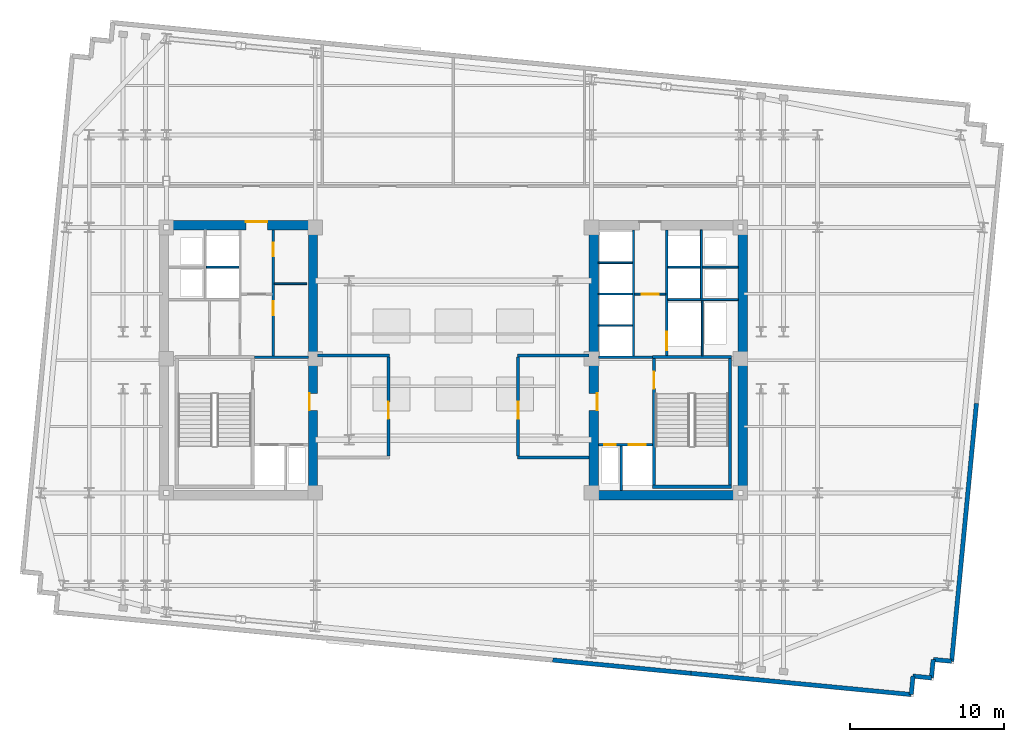
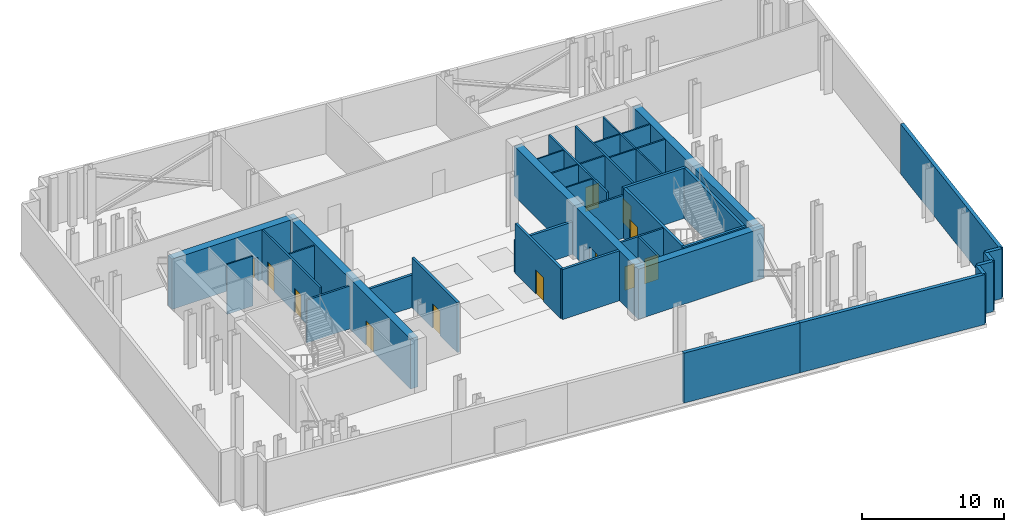
# One storey, part 5 of 8: 39 walls, 12 doors, 12 openings.
"""IFC4 building model written with IfcOpenShell, lengths in metres."""

from ifc_helpers import new_model, si_unit, direction, frame, frame_2d, origin, place, context, subcontext, project, spatial, rectangle, extrude, material, layer, layer_set, type_object, element, fill, save


model = new_model("IFC4")

# Units and contexts
model_context = context("Model", 3, precision=1e-05, world=origin(), true_north=direction((0.0, 1.0)))
body_context = subcontext(model_context, "Body", "Model", "MODEL_VIEW")
ifc_project = project(units=[si_unit("LENGTHUNIT", "METRE"), si_unit("AREAUNIT", "SQUARE_METRE"), si_unit("VOLUMEUNIT", "CUBIC_METRE"), si_unit("PLANEANGLEUNIT", "RADIAN"), si_unit("MASSUNIT", "GRAM", prefix="KILO")], contexts=[model_context])

# Site, building, storey
site_placement = place(None, origin())
site = spatial("IfcSite", under=ifc_project, at=site_placement, CompositionType="ELEMENT")
building_placement = place(site_placement, origin())
building = spatial("IfcBuilding", under=site, at=building_placement, Name="Velakula Bourse", CompositionType="ELEMENT")
storey_placement = place(building_placement, frame((0.0, 0.0, 194.89990234375)))
storey = spatial("IfcBuildingStorey", under=building, at=storey_placement, Name="L53", CompositionType="ELEMENT", Elevation=194.89990234375)

# Wall, opening, door
ifc_material_1 = material(Name="Concrete M50 (fck 50 MPa)", Category="concrete")
ifc_layer_1 = layer(ifc_material_1, 0.2099609375, Name="Concrete M50 (fck 50 MPa)", Category="concrete")
ifc_layer_set_1 = layer_set([ifc_layer_1], Name="Concrete M50 (fck 50 MPa)")
wall_type_1 = type_object("IfcWallType", Name="WL-CORE-210", PredefinedType="SHEAR", material=ifc_layer_set_1)
wall_1_placement = place(storey_placement, frame((12.9951171875, -8.10009765625, 0.0), z_axis=(0.0, 0.0, 1.0), x_axis=(0.0, 1.0, 0.0)))
wall_1 = element("IfcWall", 1, at=wall_1_placement, inside=storey, type_object=wall_type_1, Name="L53 Core E Stairwell Shear Wall IN", PredefinedType="SHEAR", context=body_context, shape_type="SweptSolid", body=[
    extrude(rectangle(XDim=8.2001953125, YDim=0.2099609375, at=frame_2d((4.10009765625, 0.0))), origin(), (0.0, 0.0, 1.0), 4.320068359375),
])
opening_1_placement = place(wall_1_placement, frame((6.25, 0.0, 0.0)))
opening_1 = element("IfcOpeningElement", 2, at=opening_1_placement, cuts=wall_1, Name="Opening D-STE1", PredefinedType="OPENING", context=body_context, shape_type="SweptSolid", body=[
    extrude(rectangle(XDim=1.10009765625, YDim=2.14990234375, at=frame_2d((0.550048828125, 1.074951171875))), frame((0.0, 0.114990234375, 0.0), z_axis=(0.0, -1.0, 0.0), x_axis=(1.0, 0.0, 0.0)), (0.0, 0.0, 1.0), 0.22998046875),
])
ifc_material_2 = material(Name="Galvanised painted hollow steel fire door", Category="steel")
door_type_1 = type_object("IfcDoorType", Name="DR-FD120-1100x2150", OperationType="NOTDEFINED", PredefinedType="DOOR", material=ifc_material_2)
door_1_placement = place(opening_1_placement, origin())
door_1 = element("IfcDoor", 3, at=door_1_placement, inside=storey, type_object=door_type_1, Name="L53 Stair ST-E1 Fire Door", OperationType="SINGLE_SWING_RIGHT", OverallHeight=2.14990234375, OverallWidth=1.10009765625, PredefinedType="DOOR", context=body_context, shape_type="SweptSolid", body=[
    extrude(rectangle(XDim=1.10009765625, YDim=2.14990234375, at=frame_2d((0.550048828125, 1.074951171875))), frame((0.0, 0.02490234375, 0.0), z_axis=(0.0, -1.0, 0.0), x_axis=(1.0, 0.0, 0.0)), (0.0, 0.0, 1.0), 0.050048828125),
])
fill(opening_1, door_1)

# Walls
wall_2_placement = place(storey_placement, frame((17.925048828125, -8.10009765625, 0.0), z_axis=(0.0, 0.0, 1.0), x_axis=(0.0, 1.0, 0.0)))
element("IfcWall", 4, at=wall_2_placement, inside=storey, type_object=wall_type_1, Name="L53 Core E Stairwell Shear Wall OUT", PredefinedType="SHEAR", context=body_context, shape_type="SweptSolid", body=[
    extrude(rectangle(XDim=8.2001953125, YDim=0.2099609375, at=frame_2d((4.10009765625, 0.0))), origin(), (0.0, 0.0, 1.0), 4.320068359375),
])
for number, where, z_axis, x_axis, name in (
    (5, (12.889892578125, -8.205078125, 0.0), (0.0, 0.0, 1.0), (1.0, 0.0, 0.0), "L53 Core E Stairwell Shear Wall S"),
    (6, (18.030029296875, 0.205078125, 0.0), (0.0, 0.0, 1.0), (-1.0, 0.0, 0.0), "L53 Core E Stairwell Shear Wall N"),
):
    element("IfcWall", number, at=place(storey_placement, frame(where, z_axis=z_axis, x_axis=x_axis)), inside=storey, type_object=wall_type_1, Name=name, PredefinedType="SHEAR", context=body_context, shape_type="SweptSolid", body=[
        extrude(rectangle(XDim=5.14013671875, YDim=0.2099609375, at=frame_2d((2.570068359375, 0.0))), origin(), (0.0, 0.0, 1.0), 4.320068359375),
    ])

# Wall, opening, door
ifc_material_3 = material(Name="Concrete M70 (fck 70 MPa)", Category="concrete")
ifc_layer_2 = layer(ifc_material_3, 0.60009765625, Name="Concrete M70 (fck 70 MPa)", Category="concrete")
ifc_layer_set_2 = layer_set([ifc_layer_2], Name="Concrete M70 (fck 70 MPa)")
wall_type_2 = type_object("IfcWallType", Name="WL-CORE-600", PredefinedType="SHEAR", material=ifc_layer_set_2)
wall_3_placement = place(storey_placement, frame((-19.050048828125, 8.75, 0.0), z_axis=(0.0, 0.0, 1.0), x_axis=(1.0, 0.0, 0.0)))
wall_3 = element("IfcWall", 7, at=wall_3_placement, inside=storey, type_object=wall_type_2, Name="L53 Core W Shear Wall N", PredefinedType="SHEAR", context=body_context, shape_type="SweptSolid", body=[
    extrude(rectangle(XDim=10.25, YDim=0.60009765625, at=frame_2d((5.125, 0.0))), origin(), (0.0, 0.0, 1.0), 4.320068359375),
])
opening_2_placement = place(wall_3_placement, frame((5.60009765625, 0.0, 0.0)))
opening_2 = element("IfcOpeningElement", 8, at=opening_2_placement, cuts=wall_3, Name="Opening D-LLW", PredefinedType="OPENING", context=body_context, shape_type="SweptSolid", body=[
    extrude(rectangle(XDim=1.39990234375, YDim=2.050048828125, at=frame_2d((0.699951171875, 1.02490234375))), frame((0.0, 0.31005859375, 0.0), z_axis=(0.0, -1.0, 0.0), x_axis=(1.0, 0.0, 0.0)), (0.0, 0.0, 1.0), 0.6201171875),
])
ifc_material_4 = material(Name="Fire-rated hardwood flush architectural door", Category="wood")
door_type_2 = type_object("IfcDoorType", Name="DR-DBL-FD60-1400", OperationType="DOUBLE_DOOR_SINGLE_SWING", PredefinedType="DOOR", material=ifc_material_4)
door_2_placement = place(opening_2_placement, origin())
door_2 = element("IfcDoor", 9, at=door_2_placement, inside=storey, type_object=door_type_2, Name="L53 Core W Lift Lobby Corridor Double Door", OperationType="DOUBLE_DOOR_SINGLE_SWING", OverallHeight=2.050048828125, OverallWidth=1.39990234375, PredefinedType="DOOR", context=body_context, shape_type="SweptSolid", body=[
    extrude(rectangle(XDim=1.39990234375, YDim=2.050048828125, at=frame_2d((0.699951171875, 1.02490234375))), frame((0.0, 0.2451171875, 0.0), z_axis=(0.0, -1.0, 0.0), x_axis=(1.0, 0.0, 0.0)), (0.0, 0.0, 1.0), 0.050048828125),
])
fill(opening_2, door_2)

wall_4_placement = place(storey_placement, frame((-9.10009765625, -8.449951171875, 0.0), z_axis=(0.0, 0.0, 1.0), x_axis=(0.0, 1.0, 0.0)))
wall_4 = element("IfcWall", 10, at=wall_4_placement, inside=storey, type_object=wall_type_2, Name="L53 Core W Shear Wall E", PredefinedType="SHEAR", context=body_context, shape_type="SweptSolid", body=[
    extrude(rectangle(XDim=16.89990234375, YDim=0.60009765625, at=frame_2d((8.449951171875, 0.0))), origin(), (0.0, 0.0, 1.0), 4.320068359375),
])
opening_3_placement = place(wall_4_placement, frame((5.199951171875, 0.0, 0.0)))
opening_3 = element("IfcOpeningElement", 11, at=opening_3_placement, cuts=wall_4, Name="Opening D-FLW", PredefinedType="OPENING", context=body_context, shape_type="SweptSolid", body=[
    extrude(rectangle(XDim=1.10009765625, YDim=2.080078125, at=frame_2d((0.550048828125, 1.0400390625))), frame((0.0, 0.31005859375, 0.0), z_axis=(0.0, -1.0, 0.0), x_axis=(1.0, 0.0, 0.0)), (0.0, 0.0, 1.0), 0.6201171875),
])
door_type_3 = type_object("IfcDoorType", Name="DR-FD120-1100", OperationType="NOTDEFINED", PredefinedType="DOOR", material=ifc_material_2)
door_3_placement = place(opening_3_placement, origin())
door_3 = element("IfcDoor", 12, at=door_3_placement, inside=storey, type_object=door_type_3, Name="L53 Firefighting Lobby W Corridor Fire Door", OperationType="SINGLE_SWING_LEFT", OverallHeight=2.080078125, OverallWidth=1.10009765625, PredefinedType="DOOR", context=body_context, shape_type="SweptSolid", body=[
    extrude(rectangle(XDim=1.10009765625, YDim=2.080078125, at=frame_2d((0.550048828125, 1.0400390625))), frame((0.0, 0.2548828125, 0.0), z_axis=(0.0, -1.0, 0.0), x_axis=(1.0, 0.0, 0.0)), (0.0, 0.0, 1.0), 0.050048828125),
])
fill(opening_3, door_3)

# Wall
wall_5_placement = place(storey_placement, frame((8.800048828125, -8.75, 0.0), z_axis=(0.0, 0.0, 1.0), x_axis=(1.0, 0.0, 0.0)))
element("IfcWall", 13, at=wall_5_placement, inside=storey, type_object=wall_type_2, Name="L53 Core E Shear Wall S", PredefinedType="SHEAR", context=body_context, shape_type="SweptSolid", body=[
    extrude(rectangle(XDim=10.25, YDim=0.60009765625, at=frame_2d((5.125, 0.0))), origin(), (0.0, 0.0, 1.0), 4.320068359375),
])

# Wall, opening, door
wall_6_placement = place(storey_placement, frame((9.10009765625, -8.449951171875, 0.0), z_axis=(0.0, 0.0, 1.0), x_axis=(0.0, 1.0, 0.0)))
wall_6 = element("IfcWall", 14, at=wall_6_placement, inside=storey, type_object=wall_type_2, Name="L53 Core E Shear Wall W", PredefinedType="SHEAR", context=body_context, shape_type="SweptSolid", body=[
    extrude(rectangle(XDim=16.89990234375, YDim=0.60009765625, at=frame_2d((8.449951171875, 0.0))), origin(), (0.0, 0.0, 1.0), 4.320068359375),
])
opening_4_placement = place(wall_6_placement, frame((5.199951171875, 0.0, 0.0)))
opening_4 = element("IfcOpeningElement", 15, at=opening_4_placement, cuts=wall_6, Name="Opening D-FLE", PredefinedType="OPENING", context=body_context, shape_type="SweptSolid", body=[
    extrude(rectangle(XDim=1.10009765625, YDim=2.080078125, at=frame_2d((0.550048828125, 1.0400390625))), frame((0.0, 0.31005859375, 0.0), z_axis=(0.0, -1.0, 0.0), x_axis=(1.0, 0.0, 0.0)), (0.0, 0.0, 1.0), 0.6201171875),
])
door_4_placement = place(opening_4_placement, origin())
door_4 = element("IfcDoor", 16, at=door_4_placement, inside=storey, type_object=door_type_3, Name="L53 Firefighting Lobby E Corridor Fire Door", OperationType="SINGLE_SWING_RIGHT", OverallHeight=2.080078125, OverallWidth=1.10009765625, PredefinedType="DOOR", context=body_context, shape_type="SweptSolid", body=[
    extrude(rectangle(XDim=1.10009765625, YDim=2.080078125, at=frame_2d((0.550048828125, 1.0400390625))), frame((0.0, -0.205078125, 0.0), z_axis=(0.0, -1.0, 0.0), x_axis=(1.0, 0.0, 0.0)), (0.0, 0.0, 1.0), 0.050048828125),
])
fill(opening_4, door_4)

# Walls
wall_7_placement = place(storey_placement, frame((18.75, -8.449951171875, 0.0), z_axis=(0.0, 0.0, 1.0), x_axis=(0.0, 1.0, 0.0)))
element("IfcWall", 17, at=wall_7_placement, inside=storey, type_object=wall_type_2, Name="L53 Core E Shear Wall E", PredefinedType="SHEAR", context=body_context, shape_type="SweptSolid", body=[
    extrude(rectangle(XDim=16.89990234375, YDim=0.60009765625, at=frame_2d((8.449951171875, 0.0))), origin(), (0.0, 0.0, 1.0), 4.320068359375),
])
ifc_material_5 = material(Name="Red kilned clay facing brick masonry", Category="masonry")
ifc_layer_3 = layer(ifc_material_5, 0.280029296875, Name="Red kilned clay facing brick masonry", Category="masonry")
ifc_layer_set_3 = layer_set([ifc_layer_3], Name="Red kilned clay facing brick masonry")
wall_type_3 = type_object("IfcWallType", Name="WL-EXT-BRK-280", PredefinedType="STANDARD", material=ifc_layer_set_3)
wall_8_placement = place(storey_placement, frame((15.398681640625, -20.295654296875, 0.0), z_axis=(0.0, 0.0, 1.0), x_axis=(-0.995394455533, 0.09586385082, 0.0)))
element("IfcWall", 18, at=wall_8_placement, inside=storey, type_object=wall_type_3, Name="L53 S Brick Spandrel Wall B4", PredefinedType="STANDARD", context=body_context, shape_type="SweptSolid", body=[
    extrude(rectangle(XDim=9.000244140625, YDim=0.280029296875, at=frame_2d((4.5, 0.0))), origin(), (0.0, 0.0, 1.0), 4.300048828125),
])
wall_9_placement = place(storey_placement, frame((29.672607421875, -21.669921875, 0.0), z_axis=(0.0, 0.0, 1.0), x_axis=(-0.995397230529, 0.095835032509, 0.0)))
element("IfcWall", 19, at=wall_9_placement, inside=storey, type_object=wall_type_3, Name="L53 S Brick Spandrel Wall B5", PredefinedType="STANDARD", context=body_context, shape_type="SweptSolid", body=[
    extrude(rectangle(XDim=14.33984375, YDim=0.280029296875, at=frame_2d((7.169921875, 0.0))), origin(), (0.0, 0.0, 1.0), 4.300048828125),
])
wall_10_placement = place(storey_placement, frame((33.90087890625, -2.79833984375, 0.0), z_axis=(0.0, 0.0, 1.0), x_axis=(-0.095853434568, -0.99539545864, 0.0)))
element("IfcWall", 20, at=wall_10_placement, inside=storey, type_object=wall_type_3, Name="L53 E Brick End Wall W1", PredefinedType="STANDARD", context=body_context, shape_type="SweptSolid", body=[
    extrude(rectangle(XDim=16.7900390625, YDim=0.280029296875, at=frame_2d((8.39501953125, 0.0))), origin(), (0.0, 0.0, 1.0), 4.300048828125),
])
for number, where, z_axis, x_axis, name in (
    (21, (29.672607421875, -21.669921875, 0.0), (0.0, 0.0, 1.0), (0.095836473879, 0.995397091755, 0.0), "L53 Serrated Corner Brick Wall SE-1"),
    (22, (29.78759765625, -20.4755859375, 0.0), (0.0, 0.0, 1.0), (0.995397091755, -0.095836473879, 0.0), "L53 Serrated Corner Brick Wall SE-2"),
):
    element("IfcWall", number, at=place(storey_placement, frame(where, z_axis=z_axis, x_axis=x_axis)), inside=storey, type_object=wall_type_3, Name=name, PredefinedType="STANDARD", context=body_context, shape_type="SweptSolid", body=[
        extrude(rectangle(XDim=1.199951171875, YDim=0.280029296875, at=frame_2d((0.60009765625, 0.0))), origin(), (0.0, 0.0, 1.0), 4.300048828125),
    ])
wall_11_placement = place(storey_placement, frame((30.98193359375, -20.590576171875, 0.0), z_axis=(0.0, 0.0, 1.0), x_axis=(0.096018626938, 0.995379537303, 0.0)))
element("IfcWall", 23, at=wall_11_placement, inside=storey, type_object=wall_type_3, Name="L53 Serrated Corner Brick Wall SE-3", PredefinedType="STANDARD", context=body_context, shape_type="SweptSolid", body=[
    extrude(rectangle(XDim=1.2001953125, YDim=0.280029296875, at=frame_2d((0.60009765625, 0.0))), origin(), (0.0, 0.0, 1.0), 4.300048828125),
])
wall_12_placement = place(storey_placement, frame((31.09716796875, -19.39599609375, 0.0), z_axis=(0.0, 0.0, 1.0), x_axis=(0.995397091755, -0.095836473879, 0.0)))
element("IfcWall", 24, at=wall_12_placement, inside=storey, type_object=wall_type_3, Name="L53 Serrated Corner Brick Wall SE-4", PredefinedType="STANDARD", context=body_context, shape_type="SweptSolid", body=[
    extrude(rectangle(XDim=1.199951171875, YDim=0.280029296875, at=frame_2d((0.60009765625, 0.0))), origin(), (0.0, 0.0, 1.0), 4.300048828125),
])
ifc_material_6 = material(Name="Fire-rated double-layer gypsum drywall partition", Category="gypsum")
ifc_layer_4 = layer(ifc_material_6, 0.1201171875, Name="Fire-rated double-layer gypsum drywall partition", Category="gypsum")
ifc_layer_set_4 = layer_set([ifc_layer_4], Name="Fire-rated double-layer gypsum drywall partition")
wall_type_4 = type_object("IfcWallType", Name="WL-PART-120", PredefinedType="STANDARD", material=ifc_layer_set_4)
for number, where, z_axis, x_axis, name in (
    (25, (-11.60009765625, 4.949951171875, 0.0), (0.0, 0.0, 1.0), (1.0, 0.0, 0.0), "L53 Interior Partition WL-CRW-L53-RCDIV"),
    (26, (-16.0, 6.030029296875, 0.0), (0.0, 0.0, 1.0), (1.0, 0.0, 0.0), "L53 Interior Partition WL-CRW-L53-HI-DIV"),
):
    element("IfcWall", number, at=place(storey_placement, frame(where, z_axis=z_axis, x_axis=x_axis)), inside=storey, type_object=wall_type_4, Name=name, PredefinedType="STANDARD", context=body_context, shape_type="SweptSolid", body=[
        extrude(rectangle(XDim=2.10009765625, YDim=0.1201171875, at=frame_2d((1.050048828125, 0.0))), origin(), (0.0, 0.0, 1.0), 4.300048828125),
    ])

# Wall, opening, door
wall_13_placement = place(storey_placement, frame((11.75, 4.280029296875, 0.0), z_axis=(0.0, 0.0, 1.0), x_axis=(1.0, 0.0, 0.0)))
wall_13 = element("IfcWall", 27, at=wall_13_placement, inside=storey, type_object=wall_type_4, Name="L53 Interior Partition WL-CRE-L53-LL-K2", PredefinedType="STANDARD", context=body_context, shape_type="SweptSolid", body=[
    extrude(rectangle(XDim=2.0, YDim=0.1201171875, at=frame_2d((1.0, 0.0))), origin(), (0.0, 0.0, 1.0), 4.300048828125),
])
opening_5_placement = place(wall_13_placement, frame((0.449951171875, 0.0, 0.0)))
opening_5 = element("IfcOpeningElement", 28, at=opening_5_placement, cuts=wall_13, Name="Opening D-LK2", PredefinedType="OPENING", context=body_context, shape_type="SweptSolid", body=[
    extrude(rectangle(XDim=1.10009765625, YDim=2.10009765625, at=frame_2d((0.550048828125, 1.050048828125))), frame((0.0, 0.070068359375, 0.0), z_axis=(0.0, -1.0, 0.0), x_axis=(1.0, 0.0, 0.0)), (0.0, 0.0, 1.0), 0.14013671875),
])
door_type_4 = type_object("IfcDoorType", Name="DR-FD60-1100x2100", OperationType="NOTDEFINED", PredefinedType="DOOR", material=ifc_material_4)
door_5_placement = place(opening_5_placement, origin())
door_5 = element("IfcDoor", 29, at=door_5_placement, inside=storey, type_object=door_type_4, Name="L53 Core E Lift Lobby Zone Door", OperationType="SINGLE_SWING_LEFT", OverallHeight=2.10009765625, OverallWidth=1.10009765625, PredefinedType="DOOR", context=body_context, shape_type="SweptSolid", body=[
    extrude(rectangle(XDim=1.10009765625, YDim=2.10009765625, at=frame_2d((0.550048828125, 1.050048828125))), frame((0.0, 0.02490234375, 0.0), z_axis=(0.0, -1.0, 0.0), x_axis=(1.0, 0.0, 0.0)), (0.0, 0.0, 1.0), 0.050048828125),
])
fill(opening_5, door_5)

# Walls
for number, where, z_axis, x_axis, name in (
    (30, (9.39990234375, 2.2548828125, 0.0), (0.0, 0.0, 1.0), (1.0, 0.0, 0.0), "L53 Interior Partition WL-CRE-L53-BDIV-0"),
    (31, (9.39990234375, 4.284912109375, 0.0), (0.0, 0.0, 1.0), (1.0, 0.0, 0.0), "L53 Interior Partition WL-CRE-L53-BDIV-1"),
    (32, (9.39990234375, 6.31494140625, 0.0), (0.0, 0.0, 1.0), (1.0, 0.0, 0.0), "L53 Interior Partition WL-CRE-L53-BDIV-2"),
):
    element("IfcWall", number, at=place(storey_placement, frame(where, z_axis=z_axis, x_axis=x_axis)), inside=storey, type_object=wall_type_4, Name=name, PredefinedType="STANDARD", context=body_context, shape_type="SweptSolid", body=[
        extrude(rectangle(XDim=2.2001953125, YDim=0.110107421875, at=frame_2d((1.10009765625, 0.0))), origin(), (0.0, 0.0, 1.0), 4.300048828125),
    ])
wall_14_placement = place(storey_placement, frame((13.89990234375, 3.919921875, 0.0), z_axis=(0.0, 0.0, 1.0), x_axis=(1.0, 0.0, 0.0)))
element("IfcWall", 33, at=wall_14_placement, inside=storey, type_object=wall_type_4, Name="L53 Interior Partition WL-CRE-L53-HI-S", PredefinedType="STANDARD", context=body_context, shape_type="SweptSolid", body=[
    extrude(rectangle(XDim=4.550048828125, YDim=0.1201171875, at=frame_2d((2.27490234375, 0.0))), origin(), (0.0, 0.0, 1.0), 4.300048828125),
])
wall_15_placement = place(storey_placement, frame((16.14990234375, 6.030029296875, 0.0), z_axis=(0.0, 0.0, 1.0), x_axis=(1.0, 0.0, 0.0)))
element("IfcWall", 34, at=wall_15_placement, inside=storey, type_object=wall_type_4, Name="L53 Interior Partition WL-CRE-L53-RIS-MID", PredefinedType="STANDARD", context=body_context, shape_type="SweptSolid", body=[
    extrude(rectangle(XDim=2.300048828125, YDim=0.1201171875, at=frame_2d((1.14990234375, 0.0))), origin(), (0.0, 0.0, 1.0), 4.300048828125),
])
wall_16_placement = place(storey_placement, frame((16.074951171875, 3.97998046875, 0.0), z_axis=(0.0, 0.0, 1.0), x_axis=(0.0, 1.0, 0.0)))
element("IfcWall", 35, at=wall_16_placement, inside=storey, type_object=wall_type_4, Name="L53 Interior Partition WL-CRE-L53-RIS-F", PredefinedType="STANDARD", context=body_context, shape_type="SweptSolid", body=[
    extrude(rectangle(XDim=4.469970703125, YDim=0.1201171875, at=frame_2d((2.23486328125, 0.0))), origin(), (0.0, 0.0, 1.0), 4.300048828125),
])
wall_17_placement = place(storey_placement, frame((13.89990234375, 6.030029296875, 0.0), z_axis=(0.0, 0.0, 1.0), x_axis=(1.0, 0.0, 0.0)))
element("IfcWall", 36, at=wall_17_placement, inside=storey, type_object=wall_type_4, Name="L53 Interior Partition WL-CRE-L53-HI-DIV", PredefinedType="STANDARD", context=body_context, shape_type="SweptSolid", body=[
    extrude(rectangle(XDim=2.10009765625, YDim=0.1201171875, at=frame_2d((1.050048828125, 0.0))), origin(), (0.0, 0.0, 1.0), 4.300048828125),
])
wall_18_placement = place(storey_placement, frame((16.125, 0.27001953125, 0.0), z_axis=(0.0, 0.0, 1.0), x_axis=(0.0, 1.0, 0.0)))
element("IfcWall", 37, at=wall_18_placement, inside=storey, type_object=wall_type_4, Name="L53 Interior Partition WL-CRE-L53-SVL-E", PredefinedType="STANDARD", context=body_context, shape_type="SweptSolid", body=[
    extrude(rectangle(XDim=3.590087890625, YDim=0.1201171875, at=frame_2d((1.794921875, 0.0))), origin(), (0.0, 0.0, 1.0), 4.300048828125),
])
ifc_material_7 = material(Name="Autoclaved aerated concrete blockwork masonry", Category="masonry")
ifc_layer_5 = layer(ifc_material_7, 0.14990234375, Name="Autoclaved aerated concrete blockwork masonry", Category="masonry")
ifc_layer_set_5 = layer_set([ifc_layer_5], Name="Autoclaved aerated concrete blockwork masonry")
wall_type_5 = type_object("IfcWallType", Name="WL-SHAFT-150", PredefinedType="STANDARD", material=ifc_layer_set_5)
wall_19_placement = place(storey_placement, frame((-12.889892578125, 0.18994140625, 0.0), z_axis=(0.0, 0.0, 1.0), x_axis=(1.0, 0.0, 0.0)))
element("IfcWall", 38, at=wall_19_placement, inside=storey, type_object=wall_type_5, Name="L53 Interior Partition WL-CRW-L53-FF-TOP", PredefinedType="STANDARD", context=body_context, shape_type="SweptSolid", body=[
    extrude(rectangle(XDim=3.489990234375, YDim=0.14990234375, at=frame_2d((1.7451171875, 0.0))), origin(), (0.0, 0.0, 1.0), 3.695068359375),
])

# Wall, openings, doors
wall_20_placement = place(storey_placement, frame((-11.675048828125, 0.27001953125, 0.0), z_axis=(0.0, 0.0, 1.0), x_axis=(0.0, 1.0, 0.0)))
wall_20 = element("IfcWall", 39, at=wall_20_placement, inside=storey, type_object=wall_type_5, Name="L53 Interior Partition WL-CRW-L53-BANK-F", PredefinedType="STANDARD", context=body_context, shape_type="SweptSolid", body=[
    extrude(rectangle(XDim=8.179931640625, YDim=0.14990234375, at=frame_2d((4.08984375, 0.0))), origin(), (0.0, 0.0, 1.0), 4.300048828125),
])
opening_6_placement = place(wall_20_placement, frame((2.64990234375, 0.0, 0.0)))
opening_6 = element("IfcOpeningElement", 40, at=opening_6_placement, cuts=wall_20, Name="Opening D-RC1", PredefinedType="OPENING", context=body_context, shape_type="SweptSolid", body=[
    extrude(rectangle(XDim=0.89990234375, YDim=2.050048828125, at=frame_2d((0.449951171875, 1.02490234375))), frame((0.0, 0.0849609375, 0.0), z_axis=(0.0, -1.0, 0.0), x_axis=(1.0, 0.0, 0.0)), (0.0, 0.0, 1.0), 0.169921875),
])
opening_7_placement = place(wall_20_placement, frame((6.449951171875, 0.0, 0.0)))
opening_7 = element("IfcOpeningElement", 41, at=opening_7_placement, cuts=wall_20, Name="Opening D-RC1", PredefinedType="OPENING", context=body_context, shape_type="SweptSolid", body=[
    extrude(rectangle(XDim=0.89990234375, YDim=2.050048828125, at=frame_2d((0.449951171875, 1.02490234375))), frame((0.0, 0.0849609375, 0.0), z_axis=(0.0, -1.0, 0.0), x_axis=(1.0, 0.0, 0.0)), (0.0, 0.0, 1.0), 0.169921875),
])
door_type_5 = type_object("IfcDoorType", Name="DR-FD60-900", OperationType="NOTDEFINED", PredefinedType="DOOR", material=ifc_material_4)
door_6_placement = place(opening_6_placement, origin())
door_6 = element("IfcDoor", 42, at=door_6_placement, inside=storey, type_object=door_type_5, Name="L53 Reclaimed Archive Room Door", OperationType="SINGLE_SWING_RIGHT", OverallHeight=2.050048828125, OverallWidth=0.89990234375, PredefinedType="DOOR", context=body_context, shape_type="SweptSolid", body=[
    extrude(rectangle(XDim=0.89990234375, YDim=2.050048828125, at=frame_2d((0.449951171875, 1.02490234375))), frame((0.0, 0.02490234375, 0.0), z_axis=(0.0, -1.0, 0.0), x_axis=(1.0, 0.0, 0.0)), (0.0, 0.0, 1.0), 0.050048828125),
])
fill(opening_6, door_6)
door_7_placement = place(opening_7_placement, origin())
door_7 = element("IfcDoor", 43, at=door_7_placement, inside=storey, type_object=door_type_5, Name="L53 Reclaimed Registry Store Door", OperationType="SINGLE_SWING_LEFT", OverallHeight=2.050048828125, OverallWidth=0.89990234375, PredefinedType="DOOR", context=body_context, shape_type="SweptSolid", body=[
    extrude(rectangle(XDim=0.89990234375, YDim=2.050048828125, at=frame_2d((0.449951171875, 1.02490234375))), frame((0.0, 0.02490234375, 0.0), z_axis=(0.0, -1.0, 0.0), x_axis=(1.0, 0.0, 0.0)), (0.0, 0.0, 1.0), 0.050048828125),
])
fill(opening_7, door_7)

wall_21_placement = place(storey_placement, frame((9.39990234375, -5.47509765625, 0.0), z_axis=(0.0, 0.0, 1.0), x_axis=(1.0, 0.0, 0.0)))
wall_21 = element("IfcWall", 44, at=wall_21_placement, inside=storey, type_object=wall_type_5, Name="L53 Interior Partition WL-CRE-L53-FFL-N", PredefinedType="STANDARD", context=body_context, shape_type="SweptSolid", body=[
    extrude(rectangle(XDim=3.4951171875, YDim=0.14990234375, at=frame_2d((1.74755859375, 0.0))), origin(), (0.0, 0.0, 1.0), 4.300048828125),
])
opening_8_placement = place(wall_21_placement, frame((1.97509765625, 0.0, 0.0)))
opening_8 = element("IfcOpeningElement", 45, at=opening_8_placement, cuts=wall_21, Name="Opening LD-FFL-2", PredefinedType="OPENING", context=body_context, shape_type="SweptSolid", body=[
    extrude(rectangle(XDim=1.10009765625, YDim=2.14990234375, at=frame_2d((0.550048828125, 1.074951171875))), frame((0.0, 0.0849609375, 0.0), z_axis=(0.0, -1.0, 0.0), x_axis=(1.0, 0.0, 0.0)), (0.0, 0.0, 1.0), 0.169921875),
])
opening_9_placement = place(wall_21_placement, frame((0.375, 0.0, 0.0)))
opening_9 = element("IfcOpeningElement", 46, at=opening_9_placement, cuts=wall_21, Name="Opening D-RS1", PredefinedType="OPENING", context=body_context, shape_type="SweptSolid", body=[
    extrude(rectangle(XDim=0.75, YDim=2.050048828125, at=frame_2d((0.375, 1.02490234375))), frame((0.0, 0.0849609375, 0.0), z_axis=(0.0, -1.0, 0.0), x_axis=(1.0, 0.0, 0.0)), (0.0, 0.0, 1.0), 0.169921875),
])
door_type_6 = type_object("IfcDoorType", Name="DR-RISER-800", OperationType="NOTDEFINED", PredefinedType="DOOR", material=ifc_material_2)
door_8_placement = place(opening_9_placement, origin())
door_8 = element("IfcDoor", 47, at=door_8_placement, inside=storey, type_object=door_type_6, Name="L53 Fire Riser Access Door", OperationType="SINGLE_SWING_LEFT", OverallHeight=2.050048828125, OverallWidth=0.75, PredefinedType="DOOR", context=body_context, shape_type="SweptSolid", body=[
    extrude(rectangle(XDim=0.75, YDim=2.050048828125, at=frame_2d((0.375, 1.02490234375))), frame((0.0, 0.02490234375, 0.0), z_axis=(0.0, -1.0, 0.0), x_axis=(1.0, 0.0, 0.0)), (0.0, 0.0, 1.0), 0.050048828125),
])
fill(opening_9, door_8)
ifc_material_8 = material(Name="Brushed grade 316 stainless steel", Category="steel")
door_type_7 = type_object("IfcDoorType", Name="DR-SLIDE-FFL-1100", OperationType="DOUBLE_DOOR_SLIDING", PredefinedType="DOOR", material=ifc_material_8)
door_9_placement = place(opening_8_placement, origin())
door_9 = element("IfcDoor", 48, at=door_9_placement, inside=storey, type_object=door_type_7, Name="L53 Firefighting Lift FFL-2 Sliding Landing Door", OperationType="DOUBLE_DOOR_SLIDING", OverallHeight=2.14990234375, OverallWidth=1.10009765625, PredefinedType="DOOR", context=body_context, shape_type="SweptSolid", body=[
    extrude(rectangle(XDim=1.10009765625, YDim=2.14990234375, at=frame_2d((0.550048828125, 1.074951171875))), frame((0.0, 0.02490234375, 0.0), z_axis=(0.0, -1.0, 0.0), x_axis=(1.0, 0.0, 0.0)), (0.0, 0.0, 1.0), 0.050048828125),
])
fill(opening_8, door_9)

# Walls
wall_22_placement = place(storey_placement, frame((10.875, -8.449951171875, 0.0), z_axis=(0.0, 0.0, 1.0), x_axis=(0.0, 1.0, 0.0)))
element("IfcWall", 49, at=wall_22_placement, inside=storey, type_object=wall_type_5, Name="L53 Interior Partition WL-CRE-L53-FR-DIV", PredefinedType="STANDARD", context=body_context, shape_type="SweptSolid", body=[
    extrude(rectangle(XDim=2.89990234375, YDim=0.14990234375, at=frame_2d((1.449951171875, 0.0))), origin(), (0.0, 0.0, 1.0), 4.300048828125),
])
wall_23_placement = place(storey_placement, frame((9.39990234375, 0.18994140625, 0.0), z_axis=(0.0, 0.0, 1.0), x_axis=(1.0, 0.0, 0.0)))
element("IfcWall", 50, at=wall_23_placement, inside=storey, type_object=wall_type_5, Name="L53 Interior Partition WL-CRE-L53-FF-TOP", PredefinedType="STANDARD", context=body_context, shape_type="SweptSolid", body=[
    extrude(rectangle(XDim=3.489990234375, YDim=0.14990234375, at=frame_2d((1.7451171875, 0.0))), origin(), (0.0, 0.0, 1.0), 3.695068359375),
])
wall_24_placement = place(storey_placement, frame((11.675048828125, 0.27001953125, 0.0), z_axis=(0.0, 0.0, 1.0), x_axis=(0.0, 1.0, 0.0)))
element("IfcWall", 51, at=wall_24_placement, inside=storey, type_object=wall_type_5, Name="L53 Interior Partition WL-CRE-L53-BANK-F", PredefinedType="STANDARD", context=body_context, shape_type="SweptSolid", body=[
    extrude(rectangle(XDim=8.179931640625, YDim=0.14990234375, at=frame_2d((4.08984375, 0.0))), origin(), (0.0, 0.0, 1.0), 4.300048828125),
])

# Wall, opening, door
wall_25_placement = place(storey_placement, frame((13.824951171875, 0.27001953125, 0.0), z_axis=(0.0, 0.0, 1.0), x_axis=(0.0, 1.0, 0.0)))
wall_25 = element("IfcWall", 52, at=wall_25_placement, inside=storey, type_object=wall_type_5, Name="L53 Interior Partition WL-CRE-L53-OUT-F", PredefinedType="STANDARD", context=body_context, shape_type="SweptSolid", body=[
    extrude(rectangle(XDim=8.179931640625, YDim=0.14990234375, at=frame_2d((4.08984375, 0.0))), origin(), (0.0, 0.0, 1.0), 4.300048828125),
])
opening_10_placement = place(wall_25_placement, frame((0.3798828125, 0.0, 0.0)))
opening_10 = element("IfcOpeningElement", 53, at=opening_10_placement, cuts=wall_25, Name="Opening LD-SVL1", PredefinedType="OPENING", context=body_context, shape_type="SweptSolid", body=[
    extrude(rectangle(XDim=1.199951171875, YDim=2.10009765625, at=frame_2d((0.60009765625, 1.050048828125))), frame((0.0, 0.0849609375, 0.0), z_axis=(0.0, -1.0, 0.0), x_axis=(1.0, 0.0, 0.0)), (0.0, 0.0, 1.0), 0.169921875),
])
door_type_8 = type_object("IfcDoorType", Name="DR-SLIDE-LD-1200", OperationType="DOUBLE_DOOR_SLIDING", PredefinedType="DOOR", material=ifc_material_8)
door_10_placement = place(opening_10_placement, origin())
door_10 = element("IfcDoor", 54, at=door_10_placement, inside=storey, type_object=door_type_8, Name="L53 Service Lift SVL-1 Sliding Landing Door", OperationType="DOUBLE_DOOR_SLIDING", OverallHeight=2.10009765625, OverallWidth=1.199951171875, PredefinedType="DOOR", context=body_context, shape_type="SweptSolid", body=[
    extrude(rectangle(XDim=1.199951171875, YDim=2.10009765625, at=frame_2d((0.60009765625, 1.050048828125))), frame((0.0, 0.02490234375, 0.0), z_axis=(0.0, -1.0, 0.0), x_axis=(1.0, 0.0, 0.0)), (0.0, 0.0, 1.0), 0.050048828125),
])
fill(opening_10, door_10)

ifc_layer_6 = layer(ifc_material_7, 0.199951171875, Name="Autoclaved aerated concrete blockwork masonry", Category="masonry")
ifc_layer_set_6 = layer_set([ifc_layer_6], Name="Autoclaved aerated concrete blockwork masonry")
wall_type_6 = type_object("IfcWallType", Name="WL-SHAFT-200", PredefinedType="STANDARD", material=ifc_layer_set_6)
wall_26_placement = place(storey_placement, frame((-4.199951171875, -6.199951171875, 0.0), z_axis=(0.0, 0.0, 1.0), x_axis=(0.0, 1.0, 0.0)))
wall_26 = element("IfcWall", 55, at=wall_26_placement, inside=storey, type_object=wall_type_6, Name="L53 Interior Partition WL-REF-L53-W", PredefinedType="STANDARD", context=body_context, shape_type="SweptSolid", body=[
    extrude(rectangle(XDim=6.39990234375, YDim=0.199951171875, at=frame_2d((3.199951171875, 0.0))), origin(), (0.0, 0.0, 1.0), 4.300048828125),
])
opening_11_placement = place(wall_26_placement, frame((2.39990234375, 0.0, 0.0)))
opening_11 = element("IfcOpeningElement", 56, at=opening_11_placement, cuts=wall_26, Name="Opening D-RF1", PredefinedType="OPENING", context=body_context, shape_type="SweptSolid", body=[
    extrude(rectangle(XDim=1.10009765625, YDim=2.080078125, at=frame_2d((0.550048828125, 1.0400390625))), frame((0.0, 0.10986328125, 0.0), z_axis=(0.0, -1.0, 0.0), x_axis=(1.0, 0.0, 0.0)), (0.0, 0.0, 1.0), 0.219970703125),
])
door_11_placement = place(opening_11_placement, origin())
door_11 = element("IfcDoor", 57, at=door_11_placement, inside=storey, type_object=door_type_3, Name="L53 West Refuge Area Fire Door", OperationType="SINGLE_SWING_LEFT", OverallHeight=2.080078125, OverallWidth=1.10009765625, PredefinedType="DOOR", context=body_context, shape_type="SweptSolid", body=[
    extrude(rectangle(XDim=1.10009765625, YDim=2.080078125, at=frame_2d((0.550048828125, 1.0400390625))), frame((0.0, 0.02490234375, 0.0), z_axis=(0.0, -1.0, 0.0), x_axis=(1.0, 0.0, 0.0)), (0.0, 0.0, 1.0), 0.050048828125),
])
fill(opening_11, door_11)

# Wall
wall_27_placement = place(storey_placement, frame((-8.800048828125, 0.300048828125, 0.0), z_axis=(0.0, 0.0, 1.0), x_axis=(1.0, 0.0, 0.0)))
element("IfcWall", 58, at=wall_27_placement, inside=storey, type_object=wall_type_6, Name="L53 Interior Partition WL-REF-L53-W-N", PredefinedType="STANDARD", context=body_context, shape_type="SweptSolid", body=[
    extrude(rectangle(XDim=4.650146484375, YDim=0.199951171875, at=frame_2d((2.3251953125, 0.0))), origin(), (0.0, 0.0, 1.0), 2.795166015625),
])

# Wall, opening, door
wall_28_placement = place(storey_placement, frame((4.199951171875, -6.199951171875, 0.0), z_axis=(0.0, 0.0, 1.0), x_axis=(0.0, 1.0, 0.0)))
wall_28 = element("IfcWall", 59, at=wall_28_placement, inside=storey, type_object=wall_type_6, Name="L53 Interior Partition WL-REF-L53-E", PredefinedType="STANDARD", context=body_context, shape_type="SweptSolid", body=[
    extrude(rectangle(XDim=6.39990234375, YDim=0.199951171875, at=frame_2d((3.199951171875, 0.0))), origin(), (0.0, 0.0, 1.0), 4.300048828125),
])
opening_12_placement = place(wall_28_placement, frame((2.39990234375, 0.0, 0.0)))
opening_12 = element("IfcOpeningElement", 60, at=opening_12_placement, cuts=wall_28, Name="Opening D-RF1", PredefinedType="OPENING", context=body_context, shape_type="SweptSolid", body=[
    extrude(rectangle(XDim=1.10009765625, YDim=2.080078125, at=frame_2d((0.550048828125, 1.0400390625))), frame((0.0, 0.10986328125, 0.0), z_axis=(0.0, -1.0, 0.0), x_axis=(1.0, 0.0, 0.0)), (0.0, 0.0, 1.0), 0.219970703125),
])
door_12_placement = place(opening_12_placement, origin())
door_12 = element("IfcDoor", 61, at=door_12_placement, inside=storey, type_object=door_type_3, Name="L53 East Refuge Area Fire Door", OperationType="SINGLE_SWING_RIGHT", OverallHeight=2.080078125, OverallWidth=1.10009765625, PredefinedType="DOOR", context=body_context, shape_type="SweptSolid", body=[
    extrude(rectangle(XDim=1.10009765625, YDim=2.080078125, at=frame_2d((0.550048828125, 1.0400390625))), frame((0.0, 0.02490234375, 0.0), z_axis=(0.0, -1.0, 0.0), x_axis=(1.0, 0.0, 0.0)), (0.0, 0.0, 1.0), 0.050048828125),
])
fill(opening_12, door_12)

# Walls
wall_29_placement = place(storey_placement, frame((4.14990234375, -6.300048828125, 0.0), z_axis=(0.0, 0.0, 1.0), x_axis=(1.0, 0.0, 0.0)))
element("IfcWall", 62, at=wall_29_placement, inside=storey, type_object=wall_type_6, Name="L53 Interior Partition WL-REF-L53-E-S", PredefinedType="STANDARD", context=body_context, shape_type="SweptSolid", body=[
    extrude(rectangle(XDim=4.650146484375, YDim=0.199951171875, at=frame_2d((2.3251953125, 0.0))), origin(), (0.0, 0.0, 1.0), 4.300048828125),
])
wall_30_placement = place(storey_placement, frame((4.14990234375, 0.300048828125, 0.0), z_axis=(0.0, 0.0, 1.0), x_axis=(1.0, 0.0, 0.0)))
element("IfcWall", 63, at=wall_30_placement, inside=storey, type_object=wall_type_6, Name="L53 Interior Partition WL-REF-L53-E-N", PredefinedType="STANDARD", context=body_context, shape_type="SweptSolid", body=[
    extrude(rectangle(XDim=4.650146484375, YDim=0.199951171875, at=frame_2d((2.3251953125, 0.0))), origin(), (0.0, 0.0, 1.0), 2.795166015625),
])

save(model, "model.ifc")
